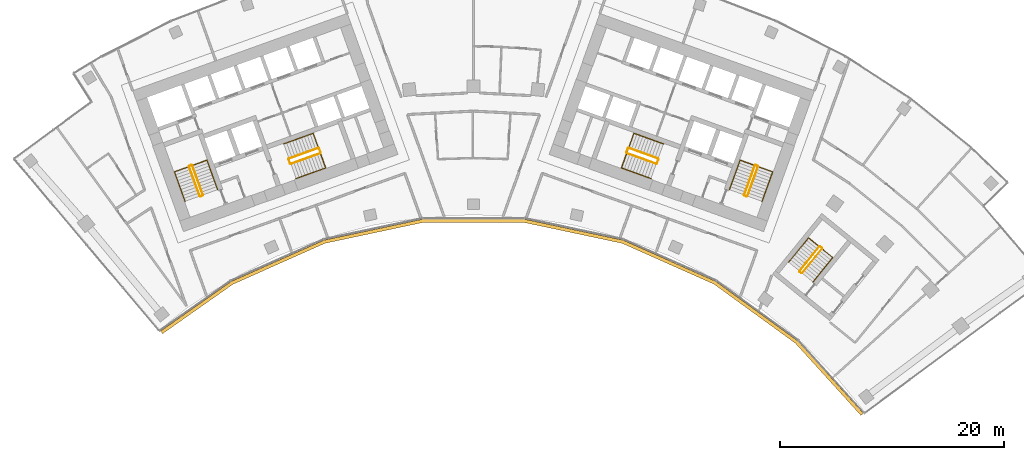
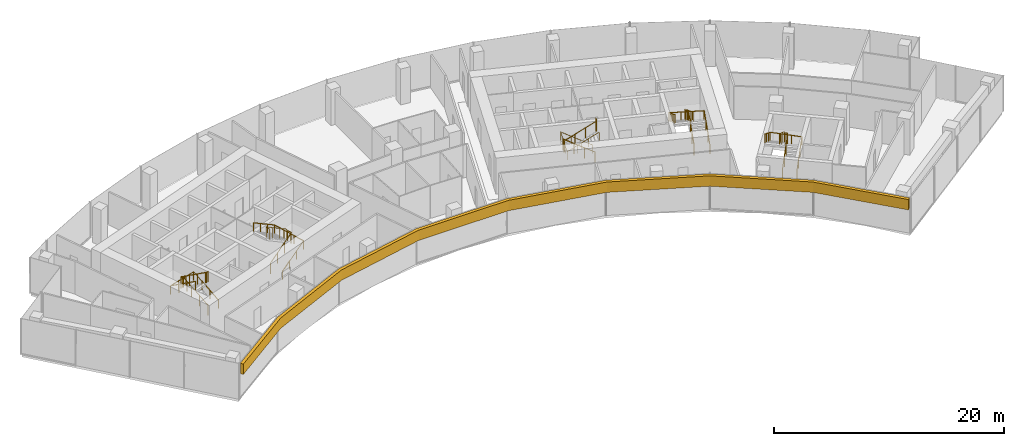
# One storey, part 16 of 16: 15 railings, 1 covering.
"""IFC4 building model written with IfcOpenShell, lengths in metres."""

from ifc_helpers import new_model, si_unit, direction, frame, origin, origin_2d, place, context, subcontext, project, spatial, polyline, circle, outline, extrude, material, layer, layer_set, type_object, element, save


model = new_model("IFC4")

# Units and contexts
model_context = context("Model", 3, precision=1e-05, world=origin(), true_north=direction((0.0, 1.0)))
body_context = subcontext(model_context, "Body", "Model", "MODEL_VIEW")
ifc_project = project(units=[si_unit("LENGTHUNIT", "METRE"), si_unit("AREAUNIT", "SQUARE_METRE"), si_unit("VOLUMEUNIT", "CUBIC_METRE"), si_unit("PLANEANGLEUNIT", "RADIAN"), si_unit("MASSUNIT", "GRAM", prefix="KILO")], contexts=[model_context])

# Site, building, storey
site_placement = place(None, origin())
site = spatial("IfcSite", under=ifc_project, at=site_placement, CompositionType="ELEMENT")
building_placement = place(site_placement, origin())
building = spatial("IfcBuilding", under=site, at=building_placement, Name="Stone Belt Terrace Tower", CompositionType="ELEMENT")
storey_placement = place(building_placement, frame((0.0, 0.0, 242.800048828125)))
storey = spatial("IfcBuildingStorey", under=building, at=storey_placement, Name="L59", CompositionType="ELEMENT", Elevation=242.800048828125)

# Railings
ifc_material_1 = material(Name="Structural steel C345", Category="steel")
railing_type_1 = type_object("IfcRailingType", Name="Stair guard 1100", PredefinedType="GUARDRAIL", material=ifc_material_1)
railing_1_placement = place(storey_placement, frame((-24.2119140625, 45.276123046875, 0.172607421875)))
element("IfcRailing", 1, at=railing_1_placement, inside=storey, type_object=railing_type_1, Name="L59 ST1A stair guard 1", PredefinedType="GUARDRAIL", context=body_context, shape_type="SweptSolid", body=[
    extrude(circle(Radius=0.02392578125, at=origin_2d()), frame((0.0, 0.0, 1.076171875), z_axis=(-0.288228637646, 0.800791768495, 0.525030280985), x_axis=(-0.940908529223, -0.338660803216, 0.0)), (0.0, 0.0, 1.0), 3.289794921875),
    extrude(circle(Radius=0.02392578125, at=origin_2d()), frame((-0.9482421875, 2.634521484375, 2.80322265625), z_axis=(-0.905209821074, 0.424964916, 0.0), x_axis=(-0.424964916, -0.905209821074, 0.0)), (0.0, 0.0, 1.0), 0.070556640625),
    extrude(circle(Radius=0.02392578125, at=origin_2d()), frame((-1.01220703125, 2.66455078125, 2.80322265625), z_axis=(-0.941105063269, -0.338114270461, 0.0), x_axis=(0.338114270461, -0.941105063269, 0.0)), (0.0, 0.0, 1.0), 0.199951171875),
    extrude(circle(Radius=0.02099609375, at=origin_2d()), origin(), (0.0, 0.0, 1.0), 1.052001953125),
    extrude(circle(Radius=0.02099609375, at=origin_2d()), frame((-0.316162109375, 0.878173828125, 0.57568359375)), (0.0, 0.0, 1.0), 1.052001953125),
    extrude(circle(Radius=0.02099609375, at=origin_2d()), frame((-0.632080078125, 1.75634765625, 1.151611328125)), (0.0, 0.0, 1.0), 1.052001953125),
    extrude(circle(Radius=0.02099609375, at=origin_2d()), frame((-0.9482421875, 2.634521484375, 1.727294921875)), (0.0, 0.0, 1.0), 1.052001953125),
    extrude(circle(Radius=0.02099609375, at=origin_2d()), frame((-1.01220703125, 2.66455078125, 1.727294921875)), (0.0, 0.0, 1.0), 1.052001953125),
    extrude(circle(Radius=0.02099609375, at=origin_2d()), frame((-1.200439453125, 2.596923828125, 1.727294921875)), (0.0, 0.0, 1.0), 1.052001953125),
])
railing_2_placement = place(storey_placement, frame((-25.4423828125, 47.80908203125, 2.07275390625)))
element("IfcRailing", 2, at=railing_2_placement, inside=storey, type_object=railing_type_1, Name="L59 ST1A stair guard 2", PredefinedType="GUARDRAIL", context=body_context, shape_type="SweptSolid", body=[
    extrude(circle(Radius=0.02392578125, at=origin_2d()), frame((0.0, 0.0, 1.076171875), z_axis=(0.288228637646, -0.800791768495, 0.525030280985), x_axis=(0.940908529223, 0.338660803216, 0.0)), (0.0, 0.0, 1.0), 3.289794921875),
    extrude(circle(Radius=0.02392578125, at=origin_2d()), frame((0.9482421875, -2.634521484375, 2.80322265625), z_axis=(0.903878284585, -0.427789722475, 0.0), x_axis=(0.427789722475, 0.903878284585, 0.0)), (0.0, 0.0, 1.0), 0.07080078125),
    extrude(circle(Radius=0.02392578125, at=origin_2d()), frame((1.01220703125, -2.664794921875, 2.80322265625), z_axis=(0.940575576748, 0.339584429008, 0.0), x_axis=(-0.339584429008, 0.940575576748, 0.0)), (0.0, 0.0, 1.0), 0.199951171875),
    extrude(circle(Radius=0.02099609375, at=origin_2d()), origin(), (0.0, 0.0, 1.0), 1.052001953125),
    extrude(circle(Radius=0.02099609375, at=origin_2d()), frame((0.316162109375, -0.878173828125, 0.57568359375)), (0.0, 0.0, 1.0), 1.052001953125),
    extrude(circle(Radius=0.02099609375, at=origin_2d()), frame((0.632080078125, -1.75634765625, 1.151611328125)), (0.0, 0.0, 1.0), 1.052001953125),
    extrude(circle(Radius=0.02099609375, at=origin_2d()), frame((0.9482421875, -2.634521484375, 1.727294921875)), (0.0, 0.0, 1.0), 1.052001953125),
    extrude(circle(Radius=0.02099609375, at=origin_2d()), frame((1.01220703125, -2.664794921875, 1.727294921875)), (0.0, 0.0, 1.0), 1.052001953125),
    extrude(circle(Radius=0.02099609375, at=origin_2d()), frame((1.2001953125, -2.596923828125, 1.727294921875)), (0.0, 0.0, 1.0), 1.052001953125),
])
railing_3_placement = place(storey_placement, frame((-16.33837890625, 48.056640625, 0.172607421875)))
element("IfcRailing", 3, at=railing_3_placement, inside=storey, type_object=railing_type_1, Name="L59 ST2A stair guard 1", PredefinedType="GUARDRAIL", context=body_context, shape_type="SweptSolid", body=[
    extrude(circle(Radius=0.02392578125, at=origin_2d()), frame((0.0, 0.0, 1.076171875), z_axis=(0.800808895155, 0.288160591223, 0.52504150989), x_axis=(-0.338583606334, 0.940936311087, 0.0)), (0.0, 0.0, 1.0), 3.289794921875),
    extrude(circle(Radius=0.02392578125, at=origin_2d()), frame((2.634521484375, 0.947998046875, 2.80322265625), z_axis=(0.427789722475, 0.903878284585, 0.0), x_axis=(-0.903878284585, 0.427789722475, 0.0)), (0.0, 0.0, 1.0), 0.07080078125),
    extrude(circle(Radius=0.02392578125, at=origin_2d()), frame((2.664794921875, 1.011962890625, 2.80322265625), z_axis=(-0.338654645739, 0.940910745459, 0.0), x_axis=(-0.940910745459, -0.338654645739, 0.0)), (0.0, 0.0, 1.0), 0.400146484375),
    extrude(circle(Radius=0.02099609375, at=origin_2d()), origin(), (0.0, 0.0, 1.0), 1.052001953125),
    extrude(circle(Radius=0.02099609375, at=origin_2d()), frame((0.878173828125, 0.31591796875, 0.57568359375)), (0.0, 0.0, 1.0), 1.052001953125),
    extrude(circle(Radius=0.02099609375, at=origin_2d()), frame((1.75634765625, 0.632080078125, 1.151611328125)), (0.0, 0.0, 1.0), 1.052001953125),
    extrude(circle(Radius=0.02099609375, at=origin_2d()), frame((2.634521484375, 0.947998046875, 1.727294921875)), (0.0, 0.0, 1.0), 1.052001953125),
    extrude(circle(Radius=0.02099609375, at=origin_2d()), frame((2.664794921875, 1.011962890625, 1.727294921875)), (0.0, 0.0, 1.0), 1.052001953125),
    extrude(circle(Radius=0.02099609375, at=origin_2d()), frame((2.529296875, 1.388427734375, 1.727294921875)), (0.0, 0.0, 1.0), 1.052001953125),
])
railing_4_placement = place(storey_placement, frame((-13.873046875, 49.47509765625, 2.07275390625)))
element("IfcRailing", 4, at=railing_4_placement, inside=storey, type_object=railing_type_1, Name="L59 ST2A stair guard 2", PredefinedType="GUARDRAIL", context=body_context, shape_type="SweptSolid", body=[
    extrude(circle(Radius=0.02392578125, at=origin_2d()), frame((0.0, 0.0, 1.076171875), z_axis=(-0.800808895155, -0.288160591223, 0.52504150989), x_axis=(0.338583606334, -0.940936311087, 0.0)), (0.0, 0.0, 1.0), 3.289794921875),
    extrude(circle(Radius=0.02392578125, at=origin_2d()), frame((-2.634521484375, -0.947998046875, 2.80322265625), z_axis=(-0.427789722475, -0.903878284585, 0.0), x_axis=(0.903878284585, -0.427789722475, 0.0)), (0.0, 0.0, 1.0), 0.07080078125),
    extrude(circle(Radius=0.02392578125, at=origin_2d()), frame((-2.664794921875, -1.011962890625, 2.80322265625), z_axis=(0.338654645739, -0.940910745459, 0.0), x_axis=(0.940910745459, 0.338654645739, 0.0)), (0.0, 0.0, 1.0), 0.400146484375),
    extrude(circle(Radius=0.02099609375, at=origin_2d()), origin(), (0.0, 0.0, 1.0), 1.052001953125),
    extrude(circle(Radius=0.02099609375, at=origin_2d()), frame((-0.878173828125, -0.31591796875, 0.57568359375)), (0.0, 0.0, 1.0), 1.052001953125),
    extrude(circle(Radius=0.02099609375, at=origin_2d()), frame((-1.75634765625, -0.632080078125, 1.151611328125)), (0.0, 0.0, 1.0), 1.052001953125),
    extrude(circle(Radius=0.02099609375, at=origin_2d()), frame((-2.634521484375, -0.947998046875, 1.727294921875)), (0.0, 0.0, 1.0), 1.052001953125),
    extrude(circle(Radius=0.02099609375, at=origin_2d()), frame((-2.664794921875, -1.011962890625, 1.727294921875)), (0.0, 0.0, 1.0), 1.052001953125),
    extrude(circle(Radius=0.02099609375, at=origin_2d()), frame((-2.529296875, -1.388427734375, 1.727294921875)), (0.0, 0.0, 1.0), 1.052001953125),
])
railing_5_placement = place(storey_placement, frame((24.494140625, 45.174560546875, 0.172607421875)))
element("IfcRailing", 5, at=railing_5_placement, inside=storey, type_object=railing_type_1, Name="L59 ST1B stair guard 1", PredefinedType="GUARDRAIL", context=body_context, shape_type="SweptSolid", body=[
    extrude(circle(Radius=0.02392578125, at=origin_2d()), frame((0.0, 0.0, 1.076171875), z_axis=(0.288228637646, 0.800791768495, 0.525030280985), x_axis=(-0.940908529223, 0.338660803216, 0.0)), (0.0, 0.0, 1.0), 3.289794921875),
    extrude(circle(Radius=0.02392578125, at=origin_2d()), frame((0.9482421875, 2.634521484375, 2.80322265625), z_axis=(-0.424964916, 0.905209821074, 0.0), x_axis=(-0.905209821074, -0.424964916, 0.0)), (0.0, 0.0, 1.0), 0.070556640625),
    extrude(circle(Radius=0.02392578125, at=origin_2d()), frame((0.918212890625, 2.698486328125, 2.80322265625), z_axis=(-0.941105063269, 0.338114270461, 0.0), x_axis=(-0.338114270461, -0.941105063269, 0.0)), (0.0, 0.0, 1.0), 0.199951171875),
    extrude(circle(Radius=0.02099609375, at=origin_2d()), origin(), (0.0, 0.0, 1.0), 1.052001953125),
    extrude(circle(Radius=0.02099609375, at=origin_2d()), frame((0.316162109375, 0.878173828125, 0.57568359375)), (0.0, 0.0, 1.0), 1.052001953125),
    extrude(circle(Radius=0.02099609375, at=origin_2d()), frame((0.632080078125, 1.75634765625, 1.151611328125)), (0.0, 0.0, 1.0), 1.052001953125),
    extrude(circle(Radius=0.02099609375, at=origin_2d()), frame((0.9482421875, 2.634521484375, 1.727294921875)), (0.0, 0.0, 1.0), 1.052001953125),
    extrude(circle(Radius=0.02099609375, at=origin_2d()), frame((0.918212890625, 2.698486328125, 1.727294921875)), (0.0, 0.0, 1.0), 1.052001953125),
    extrude(circle(Radius=0.02099609375, at=origin_2d()), frame((0.72998046875, 2.76611328125, 1.727294921875)), (0.0, 0.0, 1.0), 1.052001953125),
])
railing_6_placement = place(storey_placement, frame((25.16015625, 47.91064453125, 2.07275390625)))
element("IfcRailing", 6, at=railing_6_placement, inside=storey, type_object=railing_type_1, Name="L59 ST1B stair guard 2", PredefinedType="GUARDRAIL", context=body_context, shape_type="SweptSolid", body=[
    extrude(circle(Radius=0.02392578125, at=origin_2d()), frame((0.0, 0.0, 1.076171875), z_axis=(-0.288228637646, -0.800791768495, 0.525030280985), x_axis=(0.940908529223, -0.338660803216, 0.0)), (0.0, 0.0, 1.0), 3.289794921875),
    extrude(circle(Radius=0.02392578125, at=origin_2d()), frame((-0.9482421875, -2.634521484375, 2.80322265625), z_axis=(0.427789722475, -0.903878284585, 0.0), x_axis=(0.903878284585, 0.427789722475, 0.0)), (0.0, 0.0, 1.0), 0.07080078125),
    extrude(circle(Radius=0.02392578125, at=origin_2d()), frame((-0.91796875, -2.698486328125, 2.80322265625), z_axis=(0.940575576748, -0.339584429008, 0.0), x_axis=(0.339584429008, 0.940575576748, 0.0)), (0.0, 0.0, 1.0), 0.199951171875),
    extrude(circle(Radius=0.02099609375, at=origin_2d()), origin(), (0.0, 0.0, 1.0), 1.052001953125),
    extrude(circle(Radius=0.02099609375, at=origin_2d()), frame((-0.316162109375, -0.878173828125, 0.57568359375)), (0.0, 0.0, 1.0), 1.052001953125),
    extrude(circle(Radius=0.02099609375, at=origin_2d()), frame((-0.632080078125, -1.75634765625, 1.151611328125)), (0.0, 0.0, 1.0), 1.052001953125),
    extrude(circle(Radius=0.02099609375, at=origin_2d()), frame((-0.9482421875, -2.634521484375, 1.727294921875)), (0.0, 0.0, 1.0), 1.052001953125),
    extrude(circle(Radius=0.02099609375, at=origin_2d()), frame((-0.91796875, -2.698486328125, 1.727294921875)), (0.0, 0.0, 1.0), 1.052001953125),
    extrude(circle(Radius=0.02099609375, at=origin_2d()), frame((-0.72998046875, -2.766357421875, 1.727294921875)), (0.0, 0.0, 1.0), 1.052001953125),
])
railing_7_placement = place(storey_placement, frame((16.507568359375, 48.527099609375, 0.172607421875)))
element("IfcRailing", 7, at=railing_7_placement, inside=storey, type_object=railing_type_1, Name="L59 ST2B stair guard 1", PredefinedType="GUARDRAIL", context=body_context, shape_type="SweptSolid", body=[
    extrude(circle(Radius=0.02392578125, at=origin_2d()), frame((0.0, 0.0, 1.076171875), z_axis=(-0.800808895155, 0.288160591223, 0.52504150989), x_axis=(-0.338583606334, -0.940936311087, 0.0)), (0.0, 0.0, 1.0), 3.289794921875),
    extrude(circle(Radius=0.02392578125, at=origin_2d()), frame((-2.634521484375, 0.947998046875, 2.80322265625), z_axis=(-0.905209821074, -0.424964916, 0.0), x_axis=(0.424964916, -0.905209821074, 0.0)), (0.0, 0.0, 1.0), 0.070556640625),
    extrude(circle(Radius=0.02392578125, at=origin_2d()), frame((-2.698486328125, 0.91796875, 2.80322265625), z_axis=(-0.338654645739, -0.940910745459, 0.0), x_axis=(0.940910745459, -0.338654645739, 0.0)), (0.0, 0.0, 1.0), 0.400146484375),
    extrude(circle(Radius=0.02099609375, at=origin_2d()), origin(), (0.0, 0.0, 1.0), 1.052001953125),
    extrude(circle(Radius=0.02099609375, at=origin_2d()), frame((-0.878173828125, 0.31591796875, 0.57568359375)), (0.0, 0.0, 1.0), 1.052001953125),
    extrude(circle(Radius=0.02099609375, at=origin_2d()), frame((-1.75634765625, 0.632080078125, 1.151611328125)), (0.0, 0.0, 1.0), 1.052001953125),
    extrude(circle(Radius=0.02099609375, at=origin_2d()), frame((-2.634521484375, 0.947998046875, 1.727294921875)), (0.0, 0.0, 1.0), 1.052001953125),
    extrude(circle(Radius=0.02099609375, at=origin_2d()), frame((-2.698486328125, 0.91796875, 1.727294921875)), (0.0, 0.0, 1.0), 1.052001953125),
    extrude(circle(Radius=0.02099609375, at=origin_2d()), frame((-2.833984375, 0.54150390625, 1.727294921875)), (0.0, 0.0, 1.0), 1.052001953125),
])
railing_8_placement = place(storey_placement, frame((13.703857421875, 49.004638671875, 2.07275390625)))
element("IfcRailing", 8, at=railing_8_placement, inside=storey, type_object=railing_type_1, Name="L59 ST2B stair guard 2", PredefinedType="GUARDRAIL", context=body_context, shape_type="SweptSolid", body=[
    extrude(circle(Radius=0.02392578125, at=origin_2d()), frame((0.0, 0.0, 1.076171875), z_axis=(0.800808895155, -0.288160591223, 0.52504150989), x_axis=(0.338583606334, 0.940936311087, 0.0)), (0.0, 0.0, 1.0), 3.289794921875),
    extrude(circle(Radius=0.02392578125, at=origin_2d()), frame((2.634521484375, -0.947998046875, 2.80322265625), z_axis=(0.905209821074, 0.424964916, 0.0), x_axis=(-0.424964916, 0.905209821074, 0.0)), (0.0, 0.0, 1.0), 0.070556640625),
    extrude(circle(Radius=0.02392578125, at=origin_2d()), frame((2.698486328125, -0.91796875, 2.80322265625), z_axis=(0.338654645739, 0.940910745459, 0.0), x_axis=(-0.940910745459, 0.338654645739, 0.0)), (0.0, 0.0, 1.0), 0.400146484375),
    extrude(circle(Radius=0.02099609375, at=origin_2d()), origin(), (0.0, 0.0, 1.0), 1.052001953125),
    extrude(circle(Radius=0.02099609375, at=origin_2d()), frame((0.878173828125, -0.31591796875, 0.57568359375)), (0.0, 0.0, 1.0), 1.052001953125),
    extrude(circle(Radius=0.02099609375, at=origin_2d()), frame((1.75634765625, -0.632080078125, 1.151611328125)), (0.0, 0.0, 1.0), 1.052001953125),
    extrude(circle(Radius=0.02099609375, at=origin_2d()), frame((2.634521484375, -0.947998046875, 1.727294921875)), (0.0, 0.0, 1.0), 1.052001953125),
    extrude(circle(Radius=0.02099609375, at=origin_2d()), frame((2.698486328125, -0.91796875, 1.727294921875)), (0.0, 0.0, 1.0), 1.052001953125),
    extrude(circle(Radius=0.02099609375, at=origin_2d()), frame((2.833984375, -0.54150390625, 1.727294921875)), (0.0, 0.0, 1.0), 1.052001953125),
])
railing_9_placement = place(storey_placement, frame((29.39794921875, 38.281982421875, 0.172607421875)))
element("IfcRailing", 9, at=railing_9_placement, inside=storey, type_object=railing_type_1, Name="L59 ST3B stair guard 1", PredefinedType="GUARDRAIL", context=body_context, shape_type="SweptSolid", body=[
    extrude(circle(Radius=0.02392578125, at=origin_2d()), frame((0.0, 0.0, 1.076171875), z_axis=(0.536393061503, 0.660769759217, 0.525038864158), x_axis=(-0.776391310223, 0.630251166924, 0.0)), (0.0, 0.0, 1.0), 3.289794921875),
    extrude(circle(Radius=0.02392578125, at=origin_2d()), frame((1.7646484375, 2.173828125, 2.80322265625), z_axis=(-0.103251414163, 0.994655289773, 0.0), x_axis=(-0.994655289773, -0.103251414163, 0.0)), (0.0, 0.0, 1.0), 0.071044921875),
    extrude(circle(Radius=0.02392578125, at=origin_2d()), frame((1.75732421875, 2.244384765625, 2.80322265625), z_axis=(-0.776561986372, 0.630040856868, 0.0), x_axis=(-0.630040856868, -0.776561986372, 0.0)), (0.0, 0.0, 1.0), 0.199951171875),
    extrude(circle(Radius=0.02099609375, at=origin_2d()), origin(), (0.0, 0.0, 1.0), 1.052001953125),
    extrude(circle(Radius=0.02099609375, at=origin_2d()), frame((0.588134765625, 0.724609375, 0.57568359375)), (0.0, 0.0, 1.0), 1.052001953125),
    extrude(circle(Radius=0.02099609375, at=origin_2d()), frame((1.176513671875, 1.44921875, 1.151611328125)), (0.0, 0.0, 1.0), 1.052001953125),
    extrude(circle(Radius=0.02099609375, at=origin_2d()), frame((1.7646484375, 2.173828125, 1.727294921875)), (0.0, 0.0, 1.0), 1.052001953125),
    extrude(circle(Radius=0.02099609375, at=origin_2d()), frame((1.75732421875, 2.244384765625, 1.727294921875)), (0.0, 0.0, 1.0), 1.052001953125),
    extrude(circle(Radius=0.02099609375, at=origin_2d()), frame((1.60205078125, 2.370361328125, 1.727294921875)), (0.0, 0.0, 1.0), 1.052001953125),
])
railing_10_placement = place(storey_placement, frame((30.9296875, 40.64501953125, 2.07275390625)))
element("IfcRailing", 10, at=railing_10_placement, inside=storey, type_object=railing_type_1, Name="L59 ST3B stair guard 2", PredefinedType="GUARDRAIL", context=body_context, shape_type="SweptSolid", body=[
    extrude(circle(Radius=0.02392578125, at=origin_2d()), frame((0.0, 0.0, 1.076171875), z_axis=(-0.536366759382, -0.660811565066, 0.525013118792), x_axis=(0.776425942316, -0.630208502084, 0.0)), (0.0, 0.0, 1.0), 3.2900390625),
    extrude(circle(Radius=0.02392578125, at=origin_2d()), frame((-1.7646484375, -2.174072265625, 2.80322265625), z_axis=(0.103606084259, -0.994618408891, 0.0), x_axis=(0.994618408891, 0.103606084259, 0.0)), (0.0, 0.0, 1.0), 0.07080078125),
    extrude(circle(Radius=0.02392578125, at=origin_2d()), frame((-1.75732421875, -2.244384765625, 2.80322265625), z_axis=(0.776561986372, -0.630040856868, 0.0), x_axis=(0.630040856868, 0.776561986372, 0.0)), (0.0, 0.0, 1.0), 0.199951171875),
    extrude(circle(Radius=0.02099609375, at=origin_2d()), origin(), (0.0, 0.0, 1.0), 1.052001953125),
    extrude(circle(Radius=0.02099609375, at=origin_2d()), frame((-0.588134765625, -0.724609375, 0.57568359375)), (0.0, 0.0, 1.0), 1.052001953125),
    extrude(circle(Radius=0.02099609375, at=origin_2d()), frame((-1.176513671875, -1.449462890625, 1.151611328125)), (0.0, 0.0, 1.0), 1.052001953125),
    extrude(circle(Radius=0.02099609375, at=origin_2d()), frame((-1.7646484375, -2.174072265625, 1.727294921875)), (0.0, 0.0, 1.0), 1.052001953125),
    extrude(circle(Radius=0.02099609375, at=origin_2d()), frame((-1.75732421875, -2.244384765625, 1.727294921875)), (0.0, 0.0, 1.0), 1.052001953125),
    extrude(circle(Radius=0.02099609375, at=origin_2d()), frame((-1.60205078125, -2.370361328125, 1.727294921875)), (0.0, 0.0, 1.0), 1.052001953125),
])
railing_type_2 = type_object("IfcRailingType", Name="Stair handrail 900", PredefinedType="HANDRAIL", material=ifc_material_1)
railing_11_placement = place(storey_placement, frame((-22.894775390625, 45.750244140625, 0.172607421875)))
element("IfcRailing", 11, at=railing_11_placement, inside=storey, type_object=railing_type_2, Name="L59 ST1A stair handrail 1", PredefinedType="HANDRAIL", context=body_context, shape_type="SweptSolid", body=[
    extrude(circle(Radius=0.02392578125, at=origin_2d()), frame((0.0, 0.0, 0.8759765625), z_axis=(-0.288160591223, 0.800808895155, 0.52504150989), x_axis=(-0.940936311087, -0.338583606334, 0.0)), (0.0, 0.0, 1.0), 3.289794921875),
    extrude(circle(Radius=0.02392578125, at=origin_2d()), frame((-0.947998046875, 2.634521484375, 2.60302734375), z_axis=(-0.939460408074, -0.338105101667, 0.055669398135), x_axis=(0.338630230244, -0.940919532779, 0.0)), (0.0, 0.0, 1.0), 3.10498046875),
    extrude(circle(Radius=0.02392578125, at=origin_2d()), frame((-3.864990234375, 1.584716796875, 2.77587890625), z_axis=(0.288228637646, -0.800791768495, 0.525030280985), x_axis=(0.940908529223, 0.338660803216, 0.0)), (0.0, 0.0, 1.0), 3.289794921875),
    extrude(circle(Radius=0.02099609375, at=origin_2d()), origin(), (0.0, 0.0, 1.0), 0.851806640625),
    extrude(circle(Radius=0.02099609375, at=origin_2d()), frame((-0.31591796875, 0.878173828125, 0.57568359375)), (0.0, 0.0, 1.0), 0.851806640625),
    extrude(circle(Radius=0.02099609375, at=origin_2d()), frame((-0.632080078125, 1.75634765625, 1.151611328125)), (0.0, 0.0, 1.0), 0.851806640625),
    extrude(circle(Radius=0.02099609375, at=origin_2d()), frame((-0.947998046875, 2.634521484375, 1.727294921875)), (0.0, 0.0, 1.0), 0.851806640625),
    extrude(circle(Radius=0.02099609375, at=origin_2d()), frame((-1.92041015625, 2.28466796875, 1.784912109375)), (0.0, 0.0, 1.0), 0.851806640625),
    extrude(circle(Radius=0.02099609375, at=origin_2d()), frame((-2.892578125, 1.9345703125, 1.842529296875)), (0.0, 0.0, 1.0), 0.851806640625),
    extrude(circle(Radius=0.02099609375, at=origin_2d()), frame((-3.864990234375, 1.584716796875, 1.900146484375)), (0.0, 0.0, 1.0), 0.851806640625),
    extrude(circle(Radius=0.02099609375, at=origin_2d()), frame((-3.548828125, 0.70654296875, 2.475830078125)), (0.0, 0.0, 1.0), 0.851806640625),
    extrude(circle(Radius=0.02099609375, at=origin_2d()), frame((-3.23291015625, -0.171630859375, 3.0517578125)), (0.0, 0.0, 1.0), 0.851806640625),
    extrude(circle(Radius=0.02099609375, at=origin_2d()), frame((-2.916748046875, -1.0498046875, 3.62744140625)), (0.0, 0.0, 1.0), 0.851806640625),
])
railing_12_placement = place(storey_placement, frame((-15.8642578125, 46.7392578125, 0.172607421875)))
element("IfcRailing", 12, at=railing_12_placement, inside=storey, type_object=railing_type_2, Name="L59 ST2A stair handrail 1", PredefinedType="HANDRAIL", context=body_context, shape_type="SweptSolid", body=[
    extrude(circle(Radius=0.02392578125, at=origin_2d()), frame((0.0, 0.0, 0.8759765625), z_axis=(0.800791768495, 0.288228637646, 0.525030280985), x_axis=(-0.338660803216, 0.940908529223, 0.0)), (0.0, 0.0, 1.0), 3.289794921875),
    extrude(circle(Radius=0.02392578125, at=origin_2d()), frame((2.634521484375, 0.9482421875, 2.60302734375), z_axis=(-0.338158948057, 0.939634149308, 0.052308615955), x_axis=(-0.940922302781, -0.338622533404, 0.0)), (0.0, 0.0, 1.0), 3.304443359375),
    extrude(circle(Radius=0.02392578125, at=origin_2d()), frame((1.51708984375, 4.05322265625, 2.77587890625), z_axis=(-0.800791768495, -0.288228637646, 0.525030280985), x_axis=(0.338660803216, -0.940908529223, 0.0)), (0.0, 0.0, 1.0), 3.289794921875),
    extrude(circle(Radius=0.02099609375, at=origin_2d()), origin(), (0.0, 0.0, 1.0), 0.851806640625),
    extrude(circle(Radius=0.02099609375, at=origin_2d()), frame((0.878173828125, 0.316162109375, 0.57568359375)), (0.0, 0.0, 1.0), 0.851806640625),
    extrude(circle(Radius=0.02099609375, at=origin_2d()), frame((1.75634765625, 0.632080078125, 1.151611328125)), (0.0, 0.0, 1.0), 0.851806640625),
    extrude(circle(Radius=0.02099609375, at=origin_2d()), frame((2.634521484375, 0.9482421875, 1.727294921875)), (0.0, 0.0, 1.0), 0.851806640625),
    extrude(circle(Radius=0.02099609375, at=origin_2d()), frame((2.261962890625, 1.983154296875, 1.784912109375)), (0.0, 0.0, 1.0), 0.851806640625),
    extrude(circle(Radius=0.02099609375, at=origin_2d()), frame((1.8896484375, 3.018310546875, 1.842529296875)), (0.0, 0.0, 1.0), 0.851806640625),
    extrude(circle(Radius=0.02099609375, at=origin_2d()), frame((1.51708984375, 4.05322265625, 1.900146484375)), (0.0, 0.0, 1.0), 0.851806640625),
    extrude(circle(Radius=0.02099609375, at=origin_2d()), frame((0.638916015625, 3.737060546875, 2.475830078125)), (0.0, 0.0, 1.0), 0.851806640625),
    extrude(circle(Radius=0.02099609375, at=origin_2d()), frame((-0.2392578125, 3.421142578125, 3.0517578125)), (0.0, 0.0, 1.0), 0.851806640625),
    extrude(circle(Radius=0.02099609375, at=origin_2d()), frame((-1.117431640625, 3.10498046875, 3.62744140625)), (0.0, 0.0, 1.0), 0.851806640625),
])
railing_13_placement = place(storey_placement, frame((25.8115234375, 44.700439453125, 0.172607421875)))
element("IfcRailing", 13, at=railing_13_placement, inside=storey, type_object=railing_type_2, Name="L59 ST1B stair handrail 1", PredefinedType="HANDRAIL", context=body_context, shape_type="SweptSolid", body=[
    extrude(circle(Radius=0.02392578125, at=origin_2d()), frame((0.0, 0.0, 0.8759765625), z_axis=(0.288228637646, 0.800791768495, 0.525030280985), x_axis=(-0.940908529223, 0.338660803216, 0.0)), (0.0, 0.0, 1.0), 3.289794921875),
    extrude(circle(Radius=0.02392578125, at=origin_2d()), frame((0.9482421875, 2.634521484375, 2.60302734375), z_axis=(-0.939460408074, 0.338105101667, 0.055669398135), x_axis=(-0.338630230244, -0.940919532779, 0.0)), (0.0, 0.0, 1.0), 3.10498046875),
    extrude(circle(Radius=0.02392578125, at=origin_2d()), frame((-1.96875, 3.684326171875, 2.77587890625), z_axis=(-0.288160591223, -0.800808895155, 0.52504150989), x_axis=(0.940936311087, -0.338583606334, 0.0)), (0.0, 0.0, 1.0), 3.289794921875),
    extrude(circle(Radius=0.02099609375, at=origin_2d()), origin(), (0.0, 0.0, 1.0), 0.851806640625),
    extrude(circle(Radius=0.02099609375, at=origin_2d()), frame((0.316162109375, 0.878173828125, 0.57568359375)), (0.0, 0.0, 1.0), 0.851806640625),
    extrude(circle(Radius=0.02099609375, at=origin_2d()), frame((0.632080078125, 1.75634765625, 1.151611328125)), (0.0, 0.0, 1.0), 0.851806640625),
    extrude(circle(Radius=0.02099609375, at=origin_2d()), frame((0.9482421875, 2.634521484375, 1.727294921875)), (0.0, 0.0, 1.0), 0.851806640625),
    extrude(circle(Radius=0.02099609375, at=origin_2d()), frame((-0.024169921875, 2.984375, 1.784912109375)), (0.0, 0.0, 1.0), 0.851806640625),
    extrude(circle(Radius=0.02099609375, at=origin_2d()), frame((-0.996337890625, 3.33447265625, 1.842529296875)), (0.0, 0.0, 1.0), 0.851806640625),
    extrude(circle(Radius=0.02099609375, at=origin_2d()), frame((-1.96875, 3.684326171875, 1.900146484375)), (0.0, 0.0, 1.0), 0.851806640625),
    extrude(circle(Radius=0.02099609375, at=origin_2d()), frame((-2.28466796875, 2.80615234375, 2.475830078125)), (0.0, 0.0, 1.0), 0.851806640625),
    extrude(circle(Radius=0.02099609375, at=origin_2d()), frame((-2.600830078125, 1.927978515625, 3.0517578125)), (0.0, 0.0, 1.0), 0.851806640625),
    extrude(circle(Radius=0.02099609375, at=origin_2d()), frame((-2.916748046875, 1.0498046875, 3.62744140625)), (0.0, 0.0, 1.0), 0.851806640625),
])
railing_14_placement = place(storey_placement, frame((16.981689453125, 49.84423828125, 0.172607421875)))
element("IfcRailing", 14, at=railing_14_placement, inside=storey, type_object=railing_type_2, Name="L59 ST2B stair handrail 1", PredefinedType="HANDRAIL", context=body_context, shape_type="SweptSolid", body=[
    extrude(circle(Radius=0.02392578125, at=origin_2d()), frame((0.0, 0.0, 0.8759765625), z_axis=(-0.800791768495, 0.288228637646, 0.525030280985), x_axis=(-0.338660803216, -0.940908529223, 0.0)), (0.0, 0.0, 1.0), 3.289794921875),
    extrude(circle(Radius=0.02392578125, at=origin_2d()), frame((-2.634521484375, 0.9482421875, 2.60302734375), z_axis=(-0.338158948057, -0.939634149308, 0.052308615955), x_axis=(0.940922302781, -0.338622533404, 0.0)), (0.0, 0.0, 1.0), 3.304443359375),
    extrude(circle(Radius=0.02392578125, at=origin_2d()), frame((-3.751953125, -2.15673828125, 2.77587890625), z_axis=(0.800791768495, -0.288228637646, 0.525030280985), x_axis=(0.338660803216, 0.940908529223, 0.0)), (0.0, 0.0, 1.0), 3.289794921875),
    extrude(circle(Radius=0.02099609375, at=origin_2d()), origin(), (0.0, 0.0, 1.0), 0.851806640625),
    extrude(circle(Radius=0.02099609375, at=origin_2d()), frame((-0.878173828125, 0.316162109375, 0.57568359375)), (0.0, 0.0, 1.0), 0.851806640625),
    extrude(circle(Radius=0.02099609375, at=origin_2d()), frame((-1.75634765625, 0.632080078125, 1.151611328125)), (0.0, 0.0, 1.0), 0.851806640625),
    extrude(circle(Radius=0.02099609375, at=origin_2d()), frame((-2.634521484375, 0.9482421875, 1.727294921875)), (0.0, 0.0, 1.0), 0.851806640625),
    extrude(circle(Radius=0.02099609375, at=origin_2d()), frame((-3.007080078125, -0.086669921875, 1.784912109375)), (0.0, 0.0, 1.0), 0.851806640625),
    extrude(circle(Radius=0.02099609375, at=origin_2d()), frame((-3.37939453125, -1.121826171875, 1.842529296875)), (0.0, 0.0, 1.0), 0.851806640625),
    extrude(circle(Radius=0.02099609375, at=origin_2d()), frame((-3.751953125, -2.15673828125, 1.900146484375)), (0.0, 0.0, 1.0), 0.851806640625),
    extrude(circle(Radius=0.02099609375, at=origin_2d()), frame((-2.873779296875, -2.472900390625, 2.475830078125)), (0.0, 0.0, 1.0), 0.851806640625),
    extrude(circle(Radius=0.02099609375, at=origin_2d()), frame((-1.99560546875, -2.788818359375, 3.0517578125)), (0.0, 0.0, 1.0), 0.851806640625),
    extrude(circle(Radius=0.02099609375, at=origin_2d()), frame((-1.117431640625, -3.10498046875, 3.62744140625)), (0.0, 0.0, 1.0), 0.851806640625),
])
railing_15_placement = place(storey_placement, frame((30.36865234375, 37.494140625, 0.172607421875)))
element("IfcRailing", 15, at=railing_15_placement, inside=storey, type_object=railing_type_2, Name="L59 ST3B stair handrail 1", PredefinedType="HANDRAIL", context=body_context, shape_type="SweptSolid", body=[
    extrude(circle(Radius=0.02392578125, at=origin_2d()), frame((0.0, 0.0, 0.8759765625), z_axis=(0.536366759382, 0.660811565066, 0.525013118792), x_axis=(-0.776425942316, 0.630208502084, 0.0)), (0.0, 0.0, 1.0), 3.2900390625),
    extrude(circle(Radius=0.02392578125, at=origin_2d()), frame((1.7646484375, 2.174072265625, 2.60302734375), z_axis=(-0.774950814199, 0.629011171817, 0.061613158501), x_axis=(-0.630208502084, -0.776425942316, 0.0)), (0.0, 0.0, 1.0), 2.805419921875),
    extrude(circle(Radius=0.02392578125, at=origin_2d()), frame((-0.409423828125, 3.938720703125, 2.77587890625), z_axis=(-0.536366759382, -0.660811565066, 0.525013118792), x_axis=(0.776425942316, -0.630208502084, 0.0)), (0.0, 0.0, 1.0), 3.2900390625),
    extrude(circle(Radius=0.02099609375, at=origin_2d()), origin(), (0.0, 0.0, 1.0), 0.851806640625),
    extrude(circle(Radius=0.02099609375, at=origin_2d()), frame((0.588134765625, 0.724609375, 0.57568359375)), (0.0, 0.0, 1.0), 0.851806640625),
    extrude(circle(Radius=0.02099609375, at=origin_2d()), frame((1.176513671875, 1.449462890625, 1.151611328125)), (0.0, 0.0, 1.0), 0.851806640625),
    extrude(circle(Radius=0.02099609375, at=origin_2d()), frame((1.7646484375, 2.174072265625, 1.727294921875)), (0.0, 0.0, 1.0), 0.851806640625),
    extrude(circle(Radius=0.02099609375, at=origin_2d()), frame((1.0400390625, 2.76220703125, 1.784912109375)), (0.0, 0.0, 1.0), 0.851806640625),
    extrude(circle(Radius=0.02099609375, at=origin_2d()), frame((0.315185546875, 3.3505859375, 1.842529296875)), (0.0, 0.0, 1.0), 0.851806640625),
    extrude(circle(Radius=0.02099609375, at=origin_2d()), frame((-0.409423828125, 3.938720703125, 1.900146484375)), (0.0, 0.0, 1.0), 0.851806640625),
    extrude(circle(Radius=0.02099609375, at=origin_2d()), frame((-0.99755859375, 3.214111328125, 2.475830078125)), (0.0, 0.0, 1.0), 0.851806640625),
    extrude(circle(Radius=0.02099609375, at=origin_2d()), frame((-1.5859375, 2.4892578125, 3.0517578125)), (0.0, 0.0, 1.0), 0.851806640625),
    extrude(circle(Radius=0.02099609375, at=origin_2d()), frame((-2.174072265625, 1.7646484375, 3.62744140625)), (0.0, 0.0, 1.0), 0.851806640625),
])

# Covering
ifc_material_2 = material(Name="Terracotta coloured glazed ceramic", Category="masonry")
ifc_layer = layer(ifc_material_2, 0.300048828125)
ifc_layer_set = layer_set([ifc_layer], Name="Terracotta spandrel band 300 x 1100")
covering_type = type_object("IfcCoveringType", Name="Terracotta spandrel band 300 x 1100", PredefinedType="CLADDING", material=ifc_layer_set)
covering_placement = place(storey_placement, frame((0.0, 0.0, 2.699951171875)))
element("IfcCovering", 16, at=covering_placement, inside=storey, type_object=covering_type, Name="BAND L59", PredefinedType="CLADDING", context=body_context, shape_type="SweptSolid", body=[
    extrude(outline(polyline([(-27.99755859375, 33.096923828125), (-21.67578125, 37.541015625), (-13.395751953125, 41.2275390625), (-4.53125, 43.11181640625), (4.53125, 43.11181640625), (13.395751953125, 41.2275390625), (21.674560546875, 37.54150390625), (29.006591796875, 32.214599609375), (34.877197265625, 25.74609375), (34.655029296875, 25.544677734375), (28.80517578125, 31.989990234375), (21.523681640625, 37.2802734375), (13.302490234375, 40.940673828125), (4.499755859375, 42.811767578125), (-4.499755859375, 42.811767578125), (-13.302490234375, 40.940673828125), (-21.527099609375, 37.27880859375), (-27.8251953125, 32.8515625), (-27.99755859375, 33.096923828125)])), origin(), (0.0, 0.0, 1.0), 1.10009765625),
])

save(model, "model.ifc")
